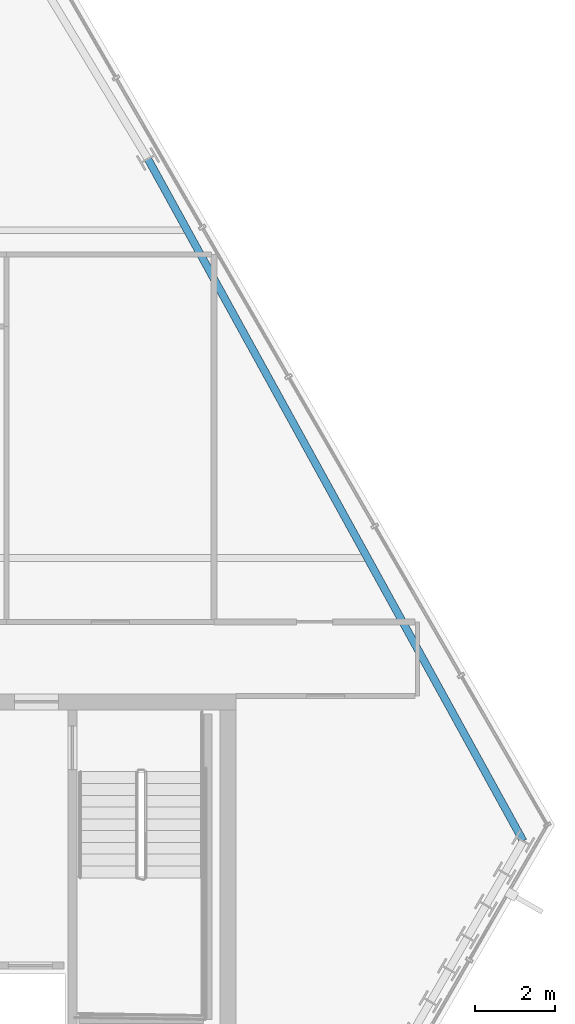
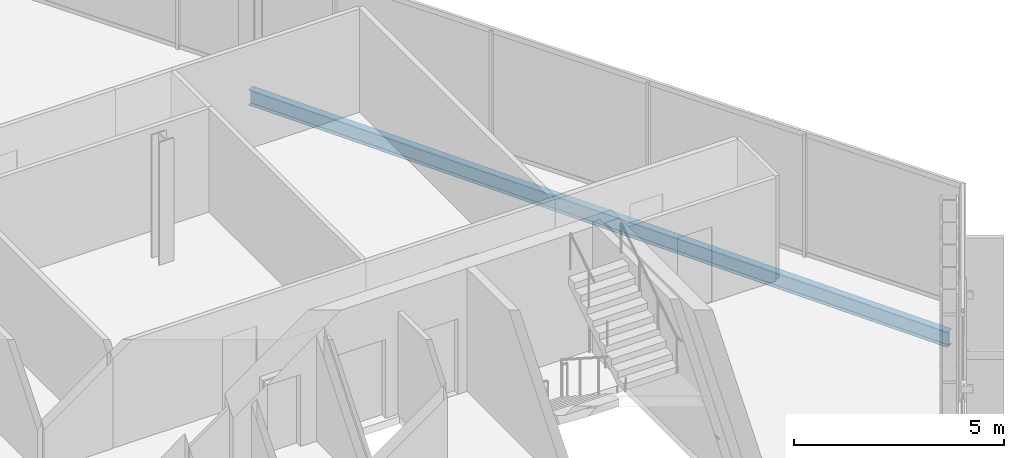
# One storey, part 16 of 30: 1 beam.
"""IFC4 building model written with IfcOpenShell, lengths in metres."""

from ifc_helpers import new_model, si_unit, direction, frame, origin, origin_2d, place, context, subcontext, project, spatial, i_section, extrude, material, material_profile, profile_set, type_object, element, save


model = new_model("IFC4")

# Units and contexts
model_context = context("Model", 3, precision=1e-05, world=origin(), true_north=direction((0.0, 1.0)))
body_context = subcontext(model_context, "Body", "Model", "MODEL_VIEW")
ifc_project = project(units=[si_unit("LENGTHUNIT", "METRE"), si_unit("AREAUNIT", "SQUARE_METRE"), si_unit("VOLUMEUNIT", "CUBIC_METRE"), si_unit("PLANEANGLEUNIT", "RADIAN"), si_unit("MASSUNIT", "GRAM", prefix="KILO")], contexts=[model_context])

# Site, building, storey
site_placement = place(None, origin())
site = spatial("IfcSite", under=ifc_project, at=site_placement, CompositionType="ELEMENT")
building_placement = place(site_placement, origin())
building = spatial("IfcBuilding", under=site, at=building_placement, Name="Ndaravel Arena Tower", CompositionType="ELEMENT")
storey_placement = place(building_placement, frame((0.0, 0.0, 221.800048828125)))
storey = spatial("IfcBuildingStorey", under=building, at=storey_placement, Name="L53", CompositionType="ELEMENT", Elevation=221.800048828125)

# Beam
ifc_material = material(Name="Steel S355", Category="steel")
ifc_material_profile = material_profile(ifc_material, i_section(OverallWidth=0.18994140625, OverallDepth=0.449951171875, WebThickness=0.009521484375, FlangeThickness=0.0146484375, FilletRadius=0.02099609375, at=origin_2d()), Name="IPE 450")
ifc_profile_set = profile_set([ifc_material_profile], Name="Steel S355")
beam_type = type_object("IfcBeamType", Name="BM-SPAN-IPE450", PredefinedType="SPANDREL", material=ifc_profile_set)
beam_placement = place(storey_placement, frame((64.7333984375, 11.515869140625, -0.445068359375), z_axis=(-0.482016386815, 0.876162201217, 0.0), x_axis=(-0.876162201217, -0.482016386815, 0.0)))
element("IfcBeam", 1, at=beam_placement, inside=storey, type_object=beam_type, Name="L53 Perimeter Spandrel Beam SP-09", PredefinedType="SPANDREL", context=body_context, shape_type="SweptSolid", body=[
    extrude(i_section(OverallWidth=0.18994140625, OverallDepth=0.449951171875, WebThickness=0.009521484375, FlangeThickness=0.0146484375, FilletRadius=0.02099609375, at=origin_2d()), origin(), (0.0, 0.0, 1.0), 19.485107421875),
])

save(model, "model.ifc")
